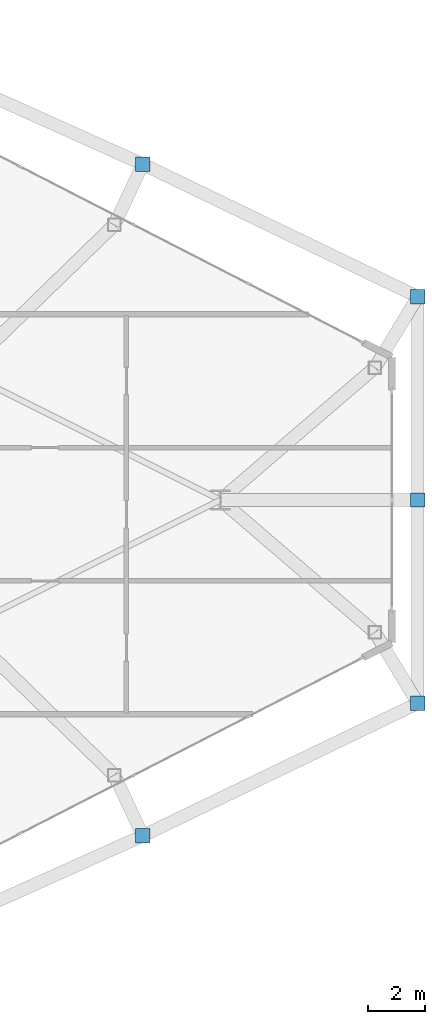
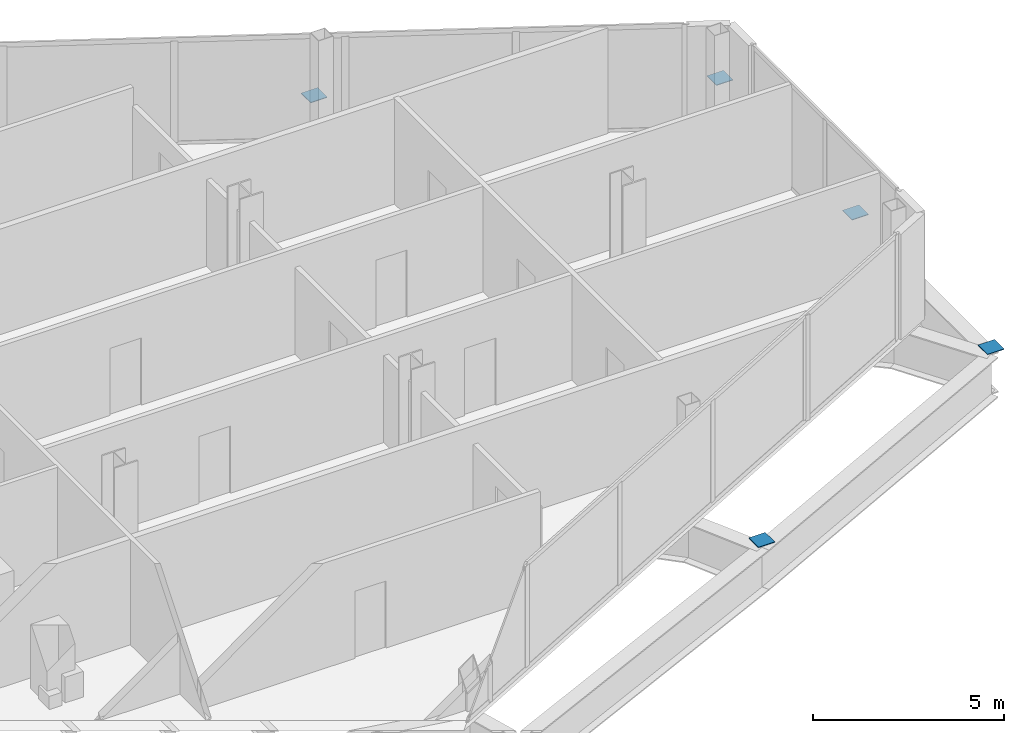
# One storey, part 26 of 28: 5 discrete accessories.
"""IFC4 building model written with IfcOpenShell, lengths in metres."""

import ifcopenshell
import ifcopenshell.guid

model = None  # the IFC model being written
_history = None  # IfcOwnerHistory: only IFC2X3 demands one
_inside = {}  # id of a spatial element -> (the spatial element, [elements in it])
_under = {}  # id of a project, library or spatial element -> (it, [spatial elements below it])
_declared = {}  # id of a project -> (the project, [libraries it declares])
_typed = {}  # id of a type object -> (the type object, [elements of that type])
_made_of = {}  # id of a material, layer set ... -> (it, [elements and type objects made of it])


def new_model(schema):
    """Start an empty IFC model of exactly this schema.

    Asked for "IFC4X3", IfcOpenShell would pick the latest addendum, in which some entities
    have other attributes; the version numbers below select the first issue.
    IFC2X3 requires an IfcOwnerHistory on every rooted entity: one is made here for all.
    """
    global model, _history
    if schema == "IFC4X3":
        model = ifcopenshell.file(schema_version=(4, 3, 0, 0))
    else:
        model = ifcopenshell.file(schema=schema)
    _inside.clear()
    _under.clear()
    _declared.clear()
    _typed.clear()
    _made_of.clear()
    _history = None
    if model.schema == "IFC2X3":
        org = make("IfcOrganization", Name="unknown")
        user = make(
            "IfcPersonAndOrganization",
            ThePerson=make("IfcPerson", FamilyName="unknown"),
            TheOrganization=org,
        )
        app = make(
            "IfcApplication",
            ApplicationDeveloper=org,
            Version="unknown",
            ApplicationFullName="unknown",
            ApplicationIdentifier="unknown",
        )
        _history = make(
            "IfcOwnerHistory",
            OwningUser=user,
            OwningApplication=app,
            ChangeAction="ADDED",
            CreationDate=0,
        )
    return model


def make(cls, **values):
    """One entity of the class cls with the attributes given. An attribute that is None is left unset."""
    return model.create_entity(
        cls, **{name: value for name, value in values.items() if value is not None}
    )


def rooted(cls, **values):
    """An entity with a GlobalId (a new one), such as an element, a storey or a relation."""
    return make(cls, GlobalId=ifcopenshell.guid.new(), OwnerHistory=_history, **values)


def si_unit(unit_type, name, prefix=None):
    """IfcSIUnit, for example si_unit("LENGTHUNIT", "METRE", prefix="MILLI")."""
    return make("IfcSIUnit", UnitType=unit_type, Prefix=prefix, Name=name)


def assignment(units):
    """IfcUnitAssignment: the units of a project."""
    return None if units is None else make("IfcUnitAssignment", Units=units)


def point(xyz):
    """IfcCartesianPoint."""
    return None if xyz is None else make("IfcCartesianPoint", Coordinates=xyz)


def direction(xyz):
    """IfcDirection."""
    return None if xyz is None else make("IfcDirection", DirectionRatios=xyz)


def frame(location, z_axis=None, x_axis=None):
    """IfcAxis2Placement3D, a coordinate frame: its origin and axes. An axis left out is left unset."""
    return make(
        "IfcAxis2Placement3D",
        Location=point(location),
        Axis=direction(z_axis),
        RefDirection=direction(x_axis),
    )


def frame_2d(location, x_axis=None):
    """IfcAxis2Placement2D, a coordinate frame in the plane: its origin and x axis."""
    return make(
        "IfcAxis2Placement2D", Location=point(location), RefDirection=direction(x_axis)
    )


def origin():
    """The frame at (0, 0, 0) with its axes left unset."""
    return frame((0.0, 0.0, 0.0))


def origin_2d():
    """The frame at (0, 0) in the plane with its x axis left unset."""
    return frame_2d((0.0, 0.0))


def place(relative_to, where):
    """IfcLocalPlacement: puts the frame where relative to a parent placement (None: the world)."""
    return make(
        "IfcLocalPlacement", PlacementRelTo=relative_to, RelativePlacement=where
    )


def context(
    kind, dimensions, precision=None, world=None, true_north=None, identifier=None
):
    """IfcGeometricRepresentationContext, for example the 3D "Model" context."""
    return make(
        "IfcGeometricRepresentationContext",
        ContextIdentifier=identifier,
        ContextType=kind,
        CoordinateSpaceDimension=dimensions,
        Precision=precision,
        WorldCoordinateSystem=world,
        TrueNorth=true_north,
    )


def subcontext(parent, identifier, kind, view, scale=None):
    """IfcGeometricRepresentationSubContext, for example "Body" below "Model"."""
    return make(
        "IfcGeometricRepresentationSubContext",
        ContextIdentifier=identifier,
        ContextType=kind,
        ParentContext=parent,
        TargetScale=scale,
        TargetView=view,
    )


def project(units=None, contexts=None):
    """IfcProject with its units and contexts."""
    return rooted(
        "IfcProject",
        Name="project",
        RepresentationContexts=contexts,
        UnitsInContext=assignment(units),
    )


def spatial(cls, under=None, at=None, **own):
    """A site, building, storey or space (cls), placed at a placement, below another one or the project."""
    s = rooted(cls, ObjectPlacement=at, **own)
    if under is not None:
        _under.setdefault(under.id(), (under, []))[1].append(s)
    return s


def profile(cls, at=None, kind="AREA", **sizes):
    """A parametric profile (cls). Its sizes go by their IFC names, for example OverallWidth=200.0."""
    return make(cls, ProfileType=kind, Position=at, **sizes)


def rectangle(**sizes):
    """IfcRectangleProfileDef."""
    return profile("IfcRectangleProfileDef", **sizes)


def extrude(swept, where, along, depth):
    """IfcExtrudedAreaSolid: the profile swept, set in the frame where, extruded along a direction by depth."""
    return make(
        "IfcExtrudedAreaSolid",
        SweptArea=swept,
        Position=where,
        ExtrudedDirection=direction(along),
        Depth=depth,
    )


def shape(context_of_items, identifier, shape_type, items):
    """IfcShapeRepresentation: the items that make up one representation, for example the "Body"."""
    return make(
        "IfcShapeRepresentation",
        ContextOfItems=context_of_items,
        RepresentationIdentifier=identifier,
        RepresentationType=shape_type,
        Items=items,
    )


def source(mapping_origin, context_of_items, identifier, shape_type, items):
    """IfcRepresentationMap: a shape defined once, which mapped items show again and again."""
    return make(
        "IfcRepresentationMap",
        MappingOrigin=mapping_origin,
        MappedRepresentation=shape(context_of_items, identifier, shape_type, items),
    )


def transform(
    local_origin,
    x_axis=None,
    y_axis=None,
    z_axis=None,
    scale=None,
    scale2=None,
    scale3=None,
    uniform=True,
):
    """IfcCartesianTransformationOperator3D, or its non-uniform kind. x_axis, y_axis, z_axis: its Axis1, 2, 3."""
    if uniform:
        return make(
            "IfcCartesianTransformationOperator3D",
            Axis1=direction(x_axis),
            Axis2=direction(y_axis),
            LocalOrigin=point(local_origin),
            Scale=scale,
            Axis3=direction(z_axis),
        )
    return make(
        "IfcCartesianTransformationOperator3DnonUniform",
        Axis1=direction(x_axis),
        Axis2=direction(y_axis),
        LocalOrigin=point(local_origin),
        Scale=scale,
        Axis3=direction(z_axis),
        Scale2=scale2,
        Scale3=scale3,
    )


def mapped(mapping_source, mapping_target):
    """IfcMappedItem: shows the shape of a source again, moved by a transform."""
    return make(
        "IfcMappedItem", MappingSource=mapping_source, MappingTarget=mapping_target
    )


def material(Name=None, Category=None):
    """IfcMaterial."""
    return make("IfcMaterial", Name=Name, Category=Category)


def made_of(thing, what):
    """Note that an element or type object is made of a material, layer set ...; save() writes the relation."""
    if what is not None:
        _made_of.setdefault(what.id(), (what, []))[1].append(thing)
    return thing


def type_object(cls, material=None, **own):
    """A type object (cls), such as IfcWallType, which elements share."""
    return made_of(rooted(cls, **own), material)


def type_shapes(of_type, sources):
    """Give a type object the sources (RepresentationMaps) that its elements show as mapped items."""
    of_type.RepresentationMaps = sources


def element(
    cls,
    number,
    at=None,
    inside=None,
    cuts=None,
    type_object=None,
    material=None,
    context=None,
    identifier="Body",
    shape_type=None,
    held_by="IfcProductDefinitionShape",
    body=None,
    shapes=None,
    **own,
):
    """One element of the class cls, such as IfcWall. Its Tag is "e" and its number.

    at: its placement. inside: the storey or other place that contains it. cuts: it is an
    opening in that element (IfcRelVoidsElement). A single representation is given by context,
    identifier, shape_type and body (its items); several are given by shapes. held_by: the class
    of the entity that holds the representations. save() writes the other relations.
    """
    e = rooted(cls, Tag="e%d" % number, ObjectPlacement=at, **own)
    if body is not None:
        shapes = [shape(context, identifier, shape_type, body)]
    if shapes is not None:
        e.Representation = make(held_by, Representations=shapes)
    if inside is not None:
        _inside.setdefault(inside.id(), (inside, []))[1].append(e)
    if cuts is not None:
        rooted(
            "IfcRelVoidsElement", RelatingBuildingElement=cuts, RelatedOpeningElement=e
        )
    if type_object is not None:
        _typed.setdefault(type_object.id(), (type_object, []))[1].append(e)
    return made_of(e, material)


def aggregate(whole, parts):
    """IfcRelAggregates: a whole, such as a stair, and the parts it consists of."""
    return rooted("IfcRelAggregates", RelatingObject=whole, RelatedObjects=parts)


def save(model, path):
    """Write the relations noted so far, then the file.

    IfcRelAggregates (storeys below a building ...), IfcRelContainedInSpatialStructure (elements
    in a storey), IfcRelDefinesByType, IfcRelAssociatesMaterial and IfcRelDeclares: one each for
    every whole, place, type object, material and project.
    """
    for whole, parts in _under.values():
        aggregate(whole, parts)
    for where, things in _inside.values():
        rooted(
            "IfcRelContainedInSpatialStructure",
            RelatedElements=things,
            RelatingStructure=where,
        )
    for kind, things in _typed.values():
        rooted("IfcRelDefinesByType", RelatedObjects=things, RelatingType=kind)
    for what, things in _made_of.values():
        rooted("IfcRelAssociatesMaterial", RelatedObjects=things, RelatingMaterial=what)
    for by, libraries in _declared.values():
        rooted("IfcRelDeclares", RelatingContext=by, RelatedDefinitions=libraries)
    model.write(path)


model = new_model("IFC4")

# Units and contexts
model_context = context("Model", 3, precision=1e-05, world=origin(), true_north=direction((0.0, 1.0)))
body_context = subcontext(model_context, "Body", "Model", "MODEL_VIEW")
ifc_project = project(units=[si_unit("LENGTHUNIT", "METRE"), si_unit("AREAUNIT", "SQUARE_METRE"), si_unit("VOLUMEUNIT", "CUBIC_METRE"), si_unit("PLANEANGLEUNIT", "RADIAN"), si_unit("MASSUNIT", "GRAM", prefix="KILO")], contexts=[model_context])

# Site, building, storey
site_placement = place(None, origin())
site = spatial("IfcSite", under=ifc_project, at=site_placement, CompositionType="ELEMENT")
building_placement = place(site_placement, origin())
building = spatial("IfcBuilding", under=site, at=building_placement, Name="Seokmaru Belvedere", CompositionType="ELEMENT")
storey_placement = place(building_placement, frame((0.0, 0.0, 110.39990234375)))
storey = spatial("IfcBuildingStorey", under=building, at=storey_placement, Name="L29", CompositionType="ELEMENT", Elevation=110.39990234375)

# Discrete accessories
ifc_material = material(Name="Steel SM355 (355 MPa)", Category="steel")
discrete_accessory_type = type_object("IfcDiscreteAccessoryType", Name="End Cap Plate HSS-500x500x20", PredefinedType="USERDEFINED", material=ifc_material)
shared_shape = source(origin(), body_context, "Body", "SweptSolid", [
    extrude(rectangle(XDim=0.5, YDim=0.5, at=origin_2d()), origin(), (0.0, 0.0, 1.0), 0.02001953125),
])
type_shapes(discrete_accessory_type, [shared_shape])
for number, where, z_axis, x_axis, name in (
    (1, (70.39990234375, -7.112060546875, 0.0), (0.0, 0.0, 1.0), (1.0, 0.0, 0.0), "L28 Column EF2 End Cap Plate Top"),
    (2, (70.39990234375, 7.112060546875, 0.0), (0.0, 0.0, 1.0), (1.0, 0.0, 0.0), "L28 Column EF3 End Cap Plate Top"),
    (3, (60.777587890625, -11.749267578125, 0.0), (0.0, 0.0, 1.0), (1.0, 0.0, 0.0), "L28 Column EFLK_S3 End Cap Plate Top"),
    (4, (60.777587890625, 11.749267578125, 0.0), (0.0, 0.0, 1.0), (1.0, 0.0, 0.0), "L28 Column EFLK_N3 End Cap Plate Top"),
    (5, (70.39990234375, 0.0, 0.0), (0.0, 0.0, 1.0), (1.0, 0.0, 0.0), "L28 Column EF_APXM End Cap Plate Top"),
):
    element("IfcDiscreteAccessory", number, at=place(storey_placement, frame(where, z_axis=z_axis, x_axis=x_axis)), inside=storey, type_object=discrete_accessory_type, Name=name, ObjectType="END_CAP_PLATE", PredefinedType="USERDEFINED", context=body_context, shape_type="MappedRepresentation", body=[
        mapped(shared_shape, transform((0.0, 0.0, 0.0), scale=1.0)),
    ])

save(model, "model.ifc")
